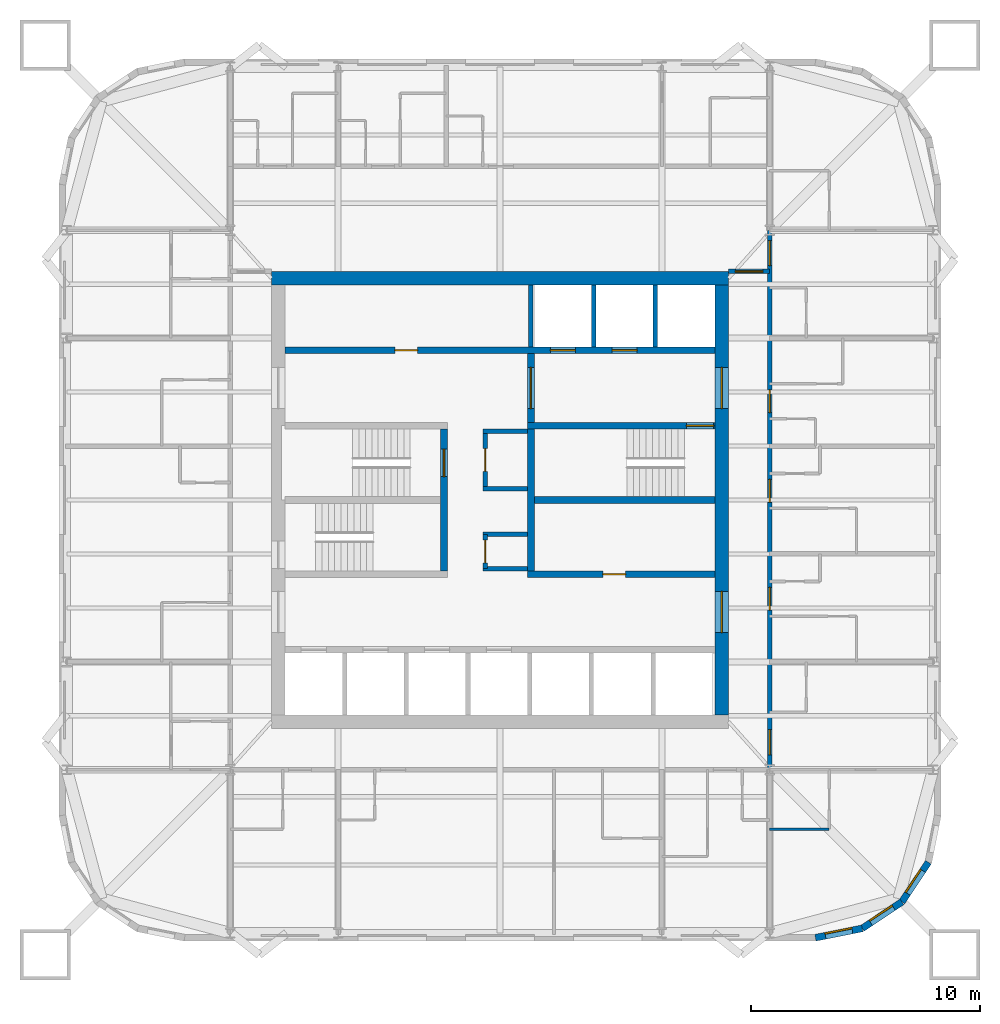
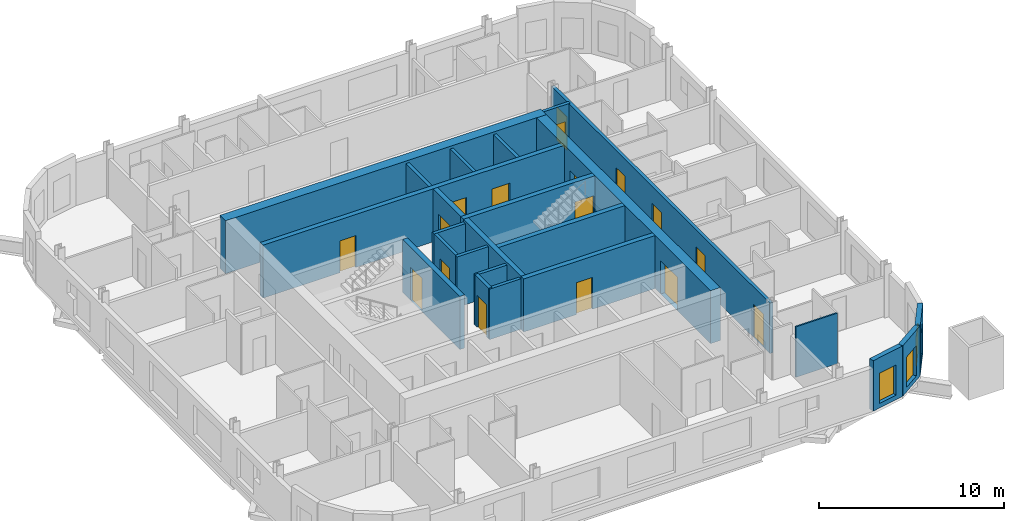
# One storey, part 5 of 9: 23 walls, 17 doors, 3 windows, 20 openings.
"""IFC4 building model written with IfcOpenShell, lengths in metres."""

import ifcopenshell
import ifcopenshell.guid

model = None  # the IFC model being written
_history = None  # IfcOwnerHistory: only IFC2X3 demands one
_inside = {}  # id of a spatial element -> (the spatial element, [elements in it])
_under = {}  # id of a project, library or spatial element -> (it, [spatial elements below it])
_declared = {}  # id of a project -> (the project, [libraries it declares])
_typed = {}  # id of a type object -> (the type object, [elements of that type])
_made_of = {}  # id of a material, layer set ... -> (it, [elements and type objects made of it])


def new_model(schema):
    """Start an empty IFC model of exactly this schema.

    Asked for "IFC4X3", IfcOpenShell would pick the latest addendum, in which some entities
    have other attributes; the version numbers below select the first issue.
    IFC2X3 requires an IfcOwnerHistory on every rooted entity: one is made here for all.
    """
    global model, _history
    if schema == "IFC4X3":
        model = ifcopenshell.file(schema_version=(4, 3, 0, 0))
    else:
        model = ifcopenshell.file(schema=schema)
    _inside.clear()
    _under.clear()
    _declared.clear()
    _typed.clear()
    _made_of.clear()
    _history = None
    if model.schema == "IFC2X3":
        org = make("IfcOrganization", Name="unknown")
        user = make(
            "IfcPersonAndOrganization",
            ThePerson=make("IfcPerson", FamilyName="unknown"),
            TheOrganization=org,
        )
        app = make(
            "IfcApplication",
            ApplicationDeveloper=org,
            Version="unknown",
            ApplicationFullName="unknown",
            ApplicationIdentifier="unknown",
        )
        _history = make(
            "IfcOwnerHistory",
            OwningUser=user,
            OwningApplication=app,
            ChangeAction="ADDED",
            CreationDate=0,
        )
    return model


def make(cls, **values):
    """One entity of the class cls with the attributes given. An attribute that is None is left unset."""
    return model.create_entity(
        cls, **{name: value for name, value in values.items() if value is not None}
    )


def rooted(cls, **values):
    """An entity with a GlobalId (a new one), such as an element, a storey or a relation."""
    return make(cls, GlobalId=ifcopenshell.guid.new(), OwnerHistory=_history, **values)


def si_unit(unit_type, name, prefix=None):
    """IfcSIUnit, for example si_unit("LENGTHUNIT", "METRE", prefix="MILLI")."""
    return make("IfcSIUnit", UnitType=unit_type, Prefix=prefix, Name=name)


def assignment(units):
    """IfcUnitAssignment: the units of a project."""
    return None if units is None else make("IfcUnitAssignment", Units=units)


def point(xyz):
    """IfcCartesianPoint."""
    return None if xyz is None else make("IfcCartesianPoint", Coordinates=xyz)


def direction(xyz):
    """IfcDirection."""
    return None if xyz is None else make("IfcDirection", DirectionRatios=xyz)


def frame(location, z_axis=None, x_axis=None):
    """IfcAxis2Placement3D, a coordinate frame: its origin and axes. An axis left out is left unset."""
    return make(
        "IfcAxis2Placement3D",
        Location=point(location),
        Axis=direction(z_axis),
        RefDirection=direction(x_axis),
    )


def frame_2d(location, x_axis=None):
    """IfcAxis2Placement2D, a coordinate frame in the plane: its origin and x axis."""
    return make(
        "IfcAxis2Placement2D", Location=point(location), RefDirection=direction(x_axis)
    )


def origin():
    """The frame at (0, 0, 0) with its axes left unset."""
    return frame((0.0, 0.0, 0.0))


def place(relative_to, where):
    """IfcLocalPlacement: puts the frame where relative to a parent placement (None: the world)."""
    return make(
        "IfcLocalPlacement", PlacementRelTo=relative_to, RelativePlacement=where
    )


def context(
    kind, dimensions, precision=None, world=None, true_north=None, identifier=None
):
    """IfcGeometricRepresentationContext, for example the 3D "Model" context."""
    return make(
        "IfcGeometricRepresentationContext",
        ContextIdentifier=identifier,
        ContextType=kind,
        CoordinateSpaceDimension=dimensions,
        Precision=precision,
        WorldCoordinateSystem=world,
        TrueNorth=true_north,
    )


def subcontext(parent, identifier, kind, view, scale=None):
    """IfcGeometricRepresentationSubContext, for example "Body" below "Model"."""
    return make(
        "IfcGeometricRepresentationSubContext",
        ContextIdentifier=identifier,
        ContextType=kind,
        ParentContext=parent,
        TargetScale=scale,
        TargetView=view,
    )


def project(units=None, contexts=None):
    """IfcProject with its units and contexts."""
    return rooted(
        "IfcProject",
        Name="project",
        RepresentationContexts=contexts,
        UnitsInContext=assignment(units),
    )


def spatial(cls, under=None, at=None, **own):
    """A site, building, storey or space (cls), placed at a placement, below another one or the project."""
    s = rooted(cls, ObjectPlacement=at, **own)
    if under is not None:
        _under.setdefault(under.id(), (under, []))[1].append(s)
    return s


def profile(cls, at=None, kind="AREA", **sizes):
    """A parametric profile (cls). Its sizes go by their IFC names, for example OverallWidth=200.0."""
    return make(cls, ProfileType=kind, Position=at, **sizes)


def rectangle(**sizes):
    """IfcRectangleProfileDef."""
    return profile("IfcRectangleProfileDef", **sizes)


def extrude(swept, where, along, depth):
    """IfcExtrudedAreaSolid: the profile swept, set in the frame where, extruded along a direction by depth."""
    return make(
        "IfcExtrudedAreaSolid",
        SweptArea=swept,
        Position=where,
        ExtrudedDirection=direction(along),
        Depth=depth,
    )


def shape(context_of_items, identifier, shape_type, items):
    """IfcShapeRepresentation: the items that make up one representation, for example the "Body"."""
    return make(
        "IfcShapeRepresentation",
        ContextOfItems=context_of_items,
        RepresentationIdentifier=identifier,
        RepresentationType=shape_type,
        Items=items,
    )


def material(Name=None, Category=None):
    """IfcMaterial."""
    return make("IfcMaterial", Name=Name, Category=Category)


def layer(
    of_material, thickness, ventilated=None, Name=None, Category=None, Priority=None
):
    """IfcMaterialLayer: one layer of a wall or slab, of a material (None: an air gap)."""
    return make(
        "IfcMaterialLayer",
        Material=of_material,
        LayerThickness=thickness,
        IsVentilated=ventilated,
        Name=Name,
        Category=Category,
        Priority=Priority,
    )


def layer_set(layers, Name=None):
    """IfcMaterialLayerSet."""
    return make("IfcMaterialLayerSet", MaterialLayers=layers, LayerSetName=Name)


def made_of(thing, what):
    """Note that an element or type object is made of a material, layer set ...; save() writes the relation."""
    if what is not None:
        _made_of.setdefault(what.id(), (what, []))[1].append(thing)
    return thing


def type_object(cls, material=None, **own):
    """A type object (cls), such as IfcWallType, which elements share."""
    return made_of(rooted(cls, **own), material)


def element(
    cls,
    number,
    at=None,
    inside=None,
    cuts=None,
    type_object=None,
    material=None,
    context=None,
    identifier="Body",
    shape_type=None,
    held_by="IfcProductDefinitionShape",
    body=None,
    shapes=None,
    **own,
):
    """One element of the class cls, such as IfcWall. Its Tag is "e" and its number.

    at: its placement. inside: the storey or other place that contains it. cuts: it is an
    opening in that element (IfcRelVoidsElement). A single representation is given by context,
    identifier, shape_type and body (its items); several are given by shapes. held_by: the class
    of the entity that holds the representations. save() writes the other relations.
    """
    e = rooted(cls, Tag="e%d" % number, ObjectPlacement=at, **own)
    if body is not None:
        shapes = [shape(context, identifier, shape_type, body)]
    if shapes is not None:
        e.Representation = make(held_by, Representations=shapes)
    if inside is not None:
        _inside.setdefault(inside.id(), (inside, []))[1].append(e)
    if cuts is not None:
        rooted(
            "IfcRelVoidsElement", RelatingBuildingElement=cuts, RelatedOpeningElement=e
        )
    if type_object is not None:
        _typed.setdefault(type_object.id(), (type_object, []))[1].append(e)
    return made_of(e, material)


def fill(opening, filler):
    """IfcRelFillsElement: the door or window that sits in an opening."""
    return rooted(
        "IfcRelFillsElement",
        RelatingOpeningElement=opening,
        RelatedBuildingElement=filler,
    )


def aggregate(whole, parts):
    """IfcRelAggregates: a whole, such as a stair, and the parts it consists of."""
    return rooted("IfcRelAggregates", RelatingObject=whole, RelatedObjects=parts)


def save(model, path):
    """Write the relations noted so far, then the file.

    IfcRelAggregates (storeys below a building ...), IfcRelContainedInSpatialStructure (elements
    in a storey), IfcRelDefinesByType, IfcRelAssociatesMaterial and IfcRelDeclares: one each for
    every whole, place, type object, material and project.
    """
    for whole, parts in _under.values():
        aggregate(whole, parts)
    for where, things in _inside.values():
        rooted(
            "IfcRelContainedInSpatialStructure",
            RelatedElements=things,
            RelatingStructure=where,
        )
    for kind, things in _typed.values():
        rooted("IfcRelDefinesByType", RelatedObjects=things, RelatingType=kind)
    for what, things in _made_of.values():
        rooted("IfcRelAssociatesMaterial", RelatedObjects=things, RelatingMaterial=what)
    for by, libraries in _declared.values():
        rooted("IfcRelDeclares", RelatingContext=by, RelatedDefinitions=libraries)
    model.write(path)


model = new_model("IFC4")

# Units and contexts
model_context = context("Model", 3, precision=1e-05, world=origin(), true_north=direction((0.0, 1.0)))
body_context = subcontext(model_context, "Body", "Model", "MODEL_VIEW")
ifc_project = project(units=[si_unit("LENGTHUNIT", "METRE"), si_unit("AREAUNIT", "SQUARE_METRE"), si_unit("VOLUMEUNIT", "CUBIC_METRE"), si_unit("PLANEANGLEUNIT", "RADIAN"), si_unit("MASSUNIT", "GRAM", prefix="KILO")], contexts=[model_context])

# Site, building, storey
site_placement = place(None, origin())
site = spatial("IfcSite", under=ifc_project, at=site_placement, CompositionType="ELEMENT")
building_placement = place(site_placement, origin())
building = spatial("IfcBuilding", under=site, at=building_placement, Name="Turquesa Mirador Hotel Tower", CompositionType="ELEMENT")
storey_placement = place(building_placement, frame((0.0, 0.0, 207.300048828125)))
storey = spatial("IfcBuildingStorey", under=building, at=storey_placement, Name="L56", CompositionType="ELEMENT", Elevation=207.300048828125)

# Wall
ifc_material_1 = material(Name="Gypsum board on steel studs", Category="steel")
ifc_layer_1 = layer(ifc_material_1, 0.10009765625)
ifc_layer_set_1 = layer_set([ifc_layer_1], Name="BATHROOM WALL 100")
wall_type_1 = type_object("IfcWallType", Name="BATHROOM WALL 100", PredefinedType="PARTITIONING", material=ifc_layer_set_1)
wall_1_placement = place(storey_placement, frame((66.800048828125, 30.60009765625, 0.0), z_axis=(0.0, 0.0, 1.0), x_axis=(1.0, 0.0, 0.0)))
element("IfcWall", 1, at=wall_1_placement, inside=storey, type_object=wall_type_1, Name="Partition L56 009", PredefinedType="PARTITIONING", context=body_context, shape_type="SweptSolid", body=[
    extrude(rectangle(XDim=2.599853515625, YDim=0.10009765625, at=frame_2d((1.2998046875, 0.0))), origin(), (0.0, 0.0, 1.0), 3.329833984375),
])

# Wall, openings, doors
ifc_material_2 = material(Name="Concrete C50/60", Category="concrete")
ifc_layer_2 = layer(ifc_material_2, 0.300048828125)
ifc_layer_set_2 = layer_set([ifc_layer_2], Name="CORE INNER WALL 300")
wall_type_2 = type_object("IfcWallType", Name="CORE INNER WALL 300", PredefinedType="SHEAR", material=ifc_layer_set_2)
wall_2_placement = place(storey_placement, frame((45.60009765625, 51.550048828125, 0.0), z_axis=(0.0, 0.0, 1.0), x_axis=(1.0, 0.0, 0.0)))
wall_2 = element("IfcWall", 2, at=wall_2_placement, inside=storey, type_object=wall_type_2, Name="Core wall NL", PredefinedType="SHEAR", context=body_context, shape_type="SweptSolid", body=[
    extrude(rectangle(XDim=18.7998046875, YDim=0.300048828125, at=frame_2d((9.39990234375, 0.0))), origin(), (0.0, 0.0, 1.0), 3.5),
])
opening_1_placement = place(wall_2_placement, frame((4.800048828125, 0.0, 0.0)))
opening_1 = element("IfcOpeningElement", 3, at=opening_1_placement, cuts=wall_2, Name="Opening D05", PredefinedType="OPENING", context=body_context, shape_type="SweptSolid", body=[
    extrude(rectangle(XDim=1.0, YDim=2.10009765625, at=frame_2d((0.5, 1.050048828125))), frame((0.0, 0.159912109375, 0.0), z_axis=(0.0, -1.0, 0.0), x_axis=(1.0, 0.0, 0.0)), (0.0, 0.0, 1.0), 0.320068359375),
])
opening_2_placement = place(wall_2_placement, frame((11.60009765625, 0.0, 0.0)))
opening_2 = element("IfcOpeningElement", 4, at=opening_2_placement, cuts=wall_2, Name="Opening LD", PredefinedType="OPENING", context=body_context, shape_type="SweptSolid", body=[
    extrude(rectangle(XDim=1.10009765625, YDim=2.199951171875, at=frame_2d((0.550048828125, 1.10009765625))), frame((0.0, 0.159912109375, 0.0), z_axis=(0.0, -1.0, 0.0), x_axis=(1.0, 0.0, 0.0)), (0.0, 0.0, 1.0), 0.320068359375),
])
opening_3_placement = place(wall_2_placement, frame((14.300048828125, 0.0, 0.0)))
opening_3 = element("IfcOpeningElement", 5, at=opening_3_placement, cuts=wall_2, Name="Opening LD", PredefinedType="OPENING", context=body_context, shape_type="SweptSolid", body=[
    extrude(rectangle(XDim=1.10009765625, YDim=2.199951171875, at=frame_2d((0.550048828125, 1.10009765625))), frame((0.0, 0.159912109375, 0.0), z_axis=(0.0, -1.0, 0.0), x_axis=(1.0, 0.0, 0.0)), (0.0, 0.0, 1.0), 0.320068359375),
])
ifc_material_3 = material(Name="Steel fire door", Category="steel")
door_type_1 = type_object("IfcDoorType", Name="DOOR 1000X2100 SERVICE", OperationType="SINGLE_SWING_LEFT", PredefinedType="DOOR", material=ifc_material_3)
door_1_placement = place(opening_1_placement, origin())
door_1 = element("IfcDoor", 6, at=door_1_placement, inside=storey, type_object=door_type_1, Name="Linen store door", OperationType="SINGLE_SWING_LEFT", OverallHeight=2.10009765625, OverallWidth=1.0, PredefinedType="DOOR", context=body_context, shape_type="SweptSolid", body=[
    extrude(rectangle(XDim=1.0, YDim=2.10009765625, at=frame_2d((0.5, 1.050048828125))), frame((0.0, 0.02490234375, 0.0), z_axis=(0.0, -1.0, 0.0), x_axis=(1.0, 0.0, 0.0)), (0.0, 0.0, 1.0), 0.050048828125),
])
fill(opening_1, door_1)
ifc_material_4 = material(Name="Stainless steel lift landing door", Category="steel")
door_type_2 = type_object("IfcDoorType", Name="LIFT LANDING DOOR 1100X2200", OperationType="SLIDING_TO_LEFT", PredefinedType="DOOR", material=ifc_material_4)
door_2_placement = place(opening_2_placement, origin())
door_2 = element("IfcDoor", 7, at=door_2_placement, inside=storey, type_object=door_type_2, Name="Lift S1 landing door", OperationType="SLIDING_TO_LEFT", OverallHeight=2.199951171875, OverallWidth=1.10009765625, PredefinedType="DOOR", context=body_context, shape_type="SweptSolid", body=[
    extrude(rectangle(XDim=1.10009765625, YDim=2.199951171875, at=frame_2d((0.550048828125, 1.10009765625))), frame((0.0, 0.02490234375, 0.0), z_axis=(0.0, -1.0, 0.0), x_axis=(1.0, 0.0, 0.0)), (0.0, 0.0, 1.0), 0.050048828125),
])
fill(opening_2, door_2)
door_3_placement = place(opening_3_placement, origin())
door_3 = element("IfcDoor", 8, at=door_3_placement, inside=storey, type_object=door_type_2, Name="Lift S2 landing door", OperationType="SLIDING_TO_LEFT", OverallHeight=2.199951171875, OverallWidth=1.10009765625, PredefinedType="DOOR", context=body_context, shape_type="SweptSolid", body=[
    extrude(rectangle(XDim=1.10009765625, YDim=2.199951171875, at=frame_2d((0.550048828125, 1.10009765625))), frame((0.0, 0.02490234375, 0.0), z_axis=(0.0, -1.0, 0.0), x_axis=(1.0, 0.0, 0.0)), (0.0, 0.0, 1.0), 0.050048828125),
])
fill(opening_3, door_3)

# Wall, opening, door
wall_3_placement = place(storey_placement, frame((56.199951171875, 48.25, 0.0), z_axis=(0.0, 0.0, 1.0), x_axis=(1.0, 0.0, 0.0)))
wall_3 = element("IfcWall", 9, at=wall_3_placement, inside=storey, type_object=wall_type_2, Name="Core wall MN-E", PredefinedType="SHEAR", context=body_context, shape_type="SweptSolid", body=[
    extrude(rectangle(XDim=8.199951171875, YDim=0.300048828125, at=frame_2d((4.10009765625, 0.0))), origin(), (0.0, 0.0, 1.0), 3.5),
])
opening_4_placement = place(wall_3_placement, frame((6.949951171875, 0.0, 0.0)))
opening_4 = element("IfcOpeningElement", 10, at=opening_4_placement, cuts=wall_3, Name="Opening D03", PredefinedType="OPENING", context=body_context, shape_type="SweptSolid", body=[
    extrude(rectangle(XDim=1.199951171875, YDim=2.199951171875, at=frame_2d((0.60009765625, 1.10009765625))), frame((0.0, 0.159912109375, 0.0), z_axis=(0.0, -1.0, 0.0), x_axis=(1.0, 0.0, 0.0)), (0.0, 0.0, 1.0), 0.320068359375),
])
ifc_material_5 = material(Name="Steel fire door", Category="steel")
door_type_3 = type_object("IfcDoorType", Name="DOOR 1200X2200 STAIR", OperationType="SINGLE_SWING_LEFT", PredefinedType="DOOR", material=ifc_material_5)
door_4_placement = place(opening_4_placement, origin())
door_4 = element("IfcDoor", 11, at=door_4_placement, inside=storey, type_object=door_type_3, Name="Stair ST3 door", OperationType="SINGLE_SWING_LEFT", OverallHeight=2.199951171875, OverallWidth=1.199951171875, PredefinedType="DOOR", context=body_context, shape_type="SweptSolid", body=[
    extrude(rectangle(XDim=1.199951171875, YDim=2.199951171875, at=frame_2d((0.60009765625, 1.10009765625))), frame((0.0, 0.02490234375, 0.0), z_axis=(0.0, -1.0, 0.0), x_axis=(1.0, 0.0, 0.0)), (0.0, 0.0, 1.0), 0.050048828125),
])
fill(opening_4, door_4)

wall_4_placement = place(storey_placement, frame((56.199951171875, 41.75, 0.0), z_axis=(0.0, 0.0, 1.0), x_axis=(1.0, 0.0, 0.0)))
wall_4 = element("IfcWall", 12, at=wall_4_placement, inside=storey, type_object=wall_type_2, Name="Core wall MS-E", PredefinedType="SHEAR", context=body_context, shape_type="SweptSolid", body=[
    extrude(rectangle(XDim=8.199951171875, YDim=0.300048828125, at=frame_2d((4.10009765625, 0.0))), origin(), (0.0, 0.0, 1.0), 3.5),
])
opening_5_placement = place(wall_4_placement, frame((3.300048828125, 0.0, 0.0)))
opening_5 = element("IfcOpeningElement", 13, at=opening_5_placement, cuts=wall_4, Name="Opening D05", PredefinedType="OPENING", context=body_context, shape_type="SweptSolid", body=[
    extrude(rectangle(XDim=1.0, YDim=2.10009765625, at=frame_2d((0.5, 1.050048828125))), frame((0.0, 0.159912109375, 0.0), z_axis=(0.0, -1.0, 0.0), x_axis=(1.0, 0.0, 0.0)), (0.0, 0.0, 1.0), 0.320068359375),
])
door_5_placement = place(opening_5_placement, origin())
door_5 = element("IfcDoor", 14, at=door_5_placement, inside=storey, type_object=door_type_1, Name="Housekeeping room door", OperationType="SINGLE_SWING_LEFT", OverallHeight=2.10009765625, OverallWidth=1.0, PredefinedType="DOOR", context=body_context, shape_type="SweptSolid", body=[
    extrude(rectangle(XDim=1.0, YDim=2.10009765625, at=frame_2d((0.5, 1.050048828125))), frame((0.0, 0.02490234375, 0.0), z_axis=(0.0, -1.0, 0.0), x_axis=(1.0, 0.0, 0.0)), (0.0, 0.0, 1.0), 0.050048828125),
])
fill(opening_5, door_5)

wall_5_placement = place(storey_placement, frame((52.550048828125, 41.89990234375, 0.0), z_axis=(0.0, 0.0, 1.0), x_axis=(0.0, 1.0, 0.0)))
wall_5 = element("IfcWall", 15, at=wall_5_placement, inside=storey, type_object=wall_type_2, Name="Core wall PW", PredefinedType="SHEAR", context=body_context, shape_type="SweptSolid", body=[
    extrude(rectangle(XDim=6.2001953125, YDim=0.300048828125, at=frame_2d((3.10009765625, 0.0))), origin(), (0.0, 0.0, 1.0), 3.5),
])
opening_6_placement = place(wall_5_placement, frame((4.125, 0.0, 0.0)))
opening_6 = element("IfcOpeningElement", 16, at=opening_6_placement, cuts=wall_5, Name="Opening D03", PredefinedType="OPENING", context=body_context, shape_type="SweptSolid", body=[
    extrude(rectangle(XDim=1.199951171875, YDim=2.199951171875, at=frame_2d((0.60009765625, 1.10009765625))), frame((0.0, 0.159912109375, 0.0), z_axis=(0.0, -1.0, 0.0), x_axis=(1.0, 0.0, 0.0)), (0.0, 0.0, 1.0), 0.320068359375),
])
door_6_placement = place(opening_6_placement, origin())
door_6 = element("IfcDoor", 17, at=door_6_placement, inside=storey, type_object=door_type_3, Name="Stair ST1 door", OperationType="SINGLE_SWING_LEFT", OverallHeight=2.199951171875, OverallWidth=1.199951171875, PredefinedType="DOOR", context=body_context, shape_type="SweptSolid", body=[
    extrude(rectangle(XDim=1.199951171875, YDim=2.199951171875, at=frame_2d((0.60009765625, 1.10009765625))), frame((0.0, 0.02490234375, 0.0), z_axis=(0.0, -1.0, 0.0), x_axis=(1.0, 0.0, 0.0)), (0.0, 0.0, 1.0), 0.050048828125),
])
fill(opening_6, door_6)

wall_6_placement = place(storey_placement, frame((56.35009765625, 41.89990234375, 0.0), z_axis=(0.0, 0.0, 1.0), x_axis=(0.0, 1.0, 0.0)))
wall_6 = element("IfcWall", 18, at=wall_6_placement, inside=storey, type_object=wall_type_2, Name="Core wall PE", PredefinedType="SHEAR", context=body_context, shape_type="SweptSolid", body=[
    extrude(rectangle(XDim=9.5, YDim=0.300048828125, at=frame_2d((4.75, 0.0))), origin(), (0.0, 0.0, 1.0), 3.5),
])
opening_7_placement = place(wall_6_placement, frame((7.10009765625, 0.0, 0.0)))
opening_7 = element("IfcOpeningElement", 19, at=opening_7_placement, cuts=wall_6, Name="Opening D04", PredefinedType="OPENING", context=body_context, shape_type="SweptSolid", body=[
    extrude(rectangle(XDim=1.800048828125, YDim=2.199951171875, at=frame_2d((0.89990234375, 1.10009765625))), frame((0.0, 0.159912109375, 0.0), z_axis=(0.0, -1.0, 0.0), x_axis=(1.0, 0.0, 0.0)), (0.0, 0.0, 1.0), 0.320068359375),
])
ifc_material_6 = material(Name="Steel fire door pair", Category="steel")
door_type_4 = type_object("IfcDoorType", Name="DOOR 1800X2200 PAIR", OperationType="DOUBLE_DOOR_SINGLE_SWING", PredefinedType="DOOR", material=ifc_material_6)
door_7_placement = place(opening_7_placement, origin())
door_7 = element("IfcDoor", 20, at=door_7_placement, inside=storey, type_object=door_type_4, Name="Firefighting lobby inner door", OperationType="DOUBLE_DOOR_SINGLE_SWING", OverallHeight=2.199951171875, OverallWidth=1.800048828125, PredefinedType="DOOR", context=body_context, shape_type="SweptSolid", body=[
    extrude(rectangle(XDim=1.800048828125, YDim=2.199951171875, at=frame_2d((0.89990234375, 1.10009765625))), frame((0.0, 0.02490234375, 0.0), z_axis=(0.0, -1.0, 0.0), x_axis=(1.0, 0.0, 0.0)), (0.0, 0.0, 1.0), 0.050048828125),
])
fill(opening_7, door_7)

# Walls
wall_7_placement = place(storey_placement, frame((56.5, 45.0, 0.0), z_axis=(0.0, 0.0, 1.0), x_axis=(1.0, 0.0, 0.0)))
element("IfcWall", 21, at=wall_7_placement, inside=storey, type_object=wall_type_2, Name="Core wall M0-E", PredefinedType="SHEAR", context=body_context, shape_type="SweptSolid", body=[
    extrude(rectangle(XDim=7.89990234375, YDim=0.300048828125, at=frame_2d((3.949951171875, 0.0))), origin(), (0.0, 0.0, 1.0), 3.5),
])
ifc_material_7 = material(Name="Concrete C50/60", Category="concrete")
ifc_layer_3 = layer(ifc_material_7, 0.60009765625)
ifc_layer_set_3 = layer_set([ifc_layer_3], Name="CORE WALL 600")
wall_type_3 = type_object("IfcWallType", Name="CORE WALL 600", PredefinedType="SHEAR", material=ifc_layer_set_3)
wall_8_placement = place(storey_placement, frame((45.0, 54.699951171875, 0.0), z_axis=(0.0, 0.0, 1.0), x_axis=(1.0, 0.0, 0.0)))
element("IfcWall", 22, at=wall_8_placement, inside=storey, type_object=wall_type_3, Name="Core wall N", PredefinedType="SHEAR", context=body_context, shape_type="SweptSolid", body=[
    extrude(rectangle(XDim=20.0, YDim=0.60009765625, at=frame_2d((10.0, 0.0))), origin(), (0.0, 0.0, 1.0), 3.5),
])

# Wall, openings, doors
wall_9_placement = place(storey_placement, frame((64.699951171875, 35.60009765625, 0.0), z_axis=(0.0, 0.0, 1.0), x_axis=(0.0, 1.0, 0.0)))
wall_9 = element("IfcWall", 23, at=wall_9_placement, inside=storey, type_object=wall_type_3, Name="Core wall E", PredefinedType="SHEAR", context=body_context, shape_type="SweptSolid", body=[
    extrude(rectangle(XDim=18.7998046875, YDim=0.60009765625, at=frame_2d((9.39990234375, 0.0))), origin(), (0.0, 0.0, 1.0), 3.5),
])
opening_8_placement = place(wall_9_placement, frame((13.39990234375, 0.0, 0.0)))
opening_8 = element("IfcOpeningElement", 24, at=opening_8_placement, cuts=wall_9, Name="Opening D04", PredefinedType="OPENING", context=body_context, shape_type="SweptSolid", body=[
    extrude(rectangle(XDim=1.800048828125, YDim=2.199951171875, at=frame_2d((0.89990234375, 1.10009765625))), frame((0.0, 0.31005859375, 0.0), z_axis=(0.0, -1.0, 0.0), x_axis=(1.0, 0.0, 0.0)), (0.0, 0.0, 1.0), 0.6201171875),
])
opening_9_placement = place(wall_9_placement, frame((3.60009765625, 0.0, 0.0)))
opening_9 = element("IfcOpeningElement", 25, at=opening_9_placement, cuts=wall_9, Name="Opening D04", PredefinedType="OPENING", context=body_context, shape_type="SweptSolid", body=[
    extrude(rectangle(XDim=1.800048828125, YDim=2.199951171875, at=frame_2d((0.89990234375, 1.10009765625))), frame((0.0, 0.31005859375, 0.0), z_axis=(0.0, -1.0, 0.0), x_axis=(1.0, 0.0, 0.0)), (0.0, 0.0, 1.0), 0.6201171875),
])
door_8_placement = place(opening_8_placement, origin())
door_8 = element("IfcDoor", 26, at=door_8_placement, inside=storey, type_object=door_type_4, Name="Firefighting lobby door", OperationType="DOUBLE_DOOR_SINGLE_SWING", OverallHeight=2.199951171875, OverallWidth=1.800048828125, PredefinedType="DOOR", context=body_context, shape_type="SweptSolid", body=[
    extrude(rectangle(XDim=1.800048828125, YDim=2.199951171875, at=frame_2d((0.89990234375, 1.10009765625))), frame((0.0, 0.02490234375, 0.0), z_axis=(0.0, -1.0, 0.0), x_axis=(1.0, 0.0, 0.0)), (0.0, 0.0, 1.0), 0.050048828125),
])
fill(opening_8, door_8)
door_9_placement = place(opening_9_placement, origin())
door_9 = element("IfcDoor", 27, at=door_9_placement, inside=storey, type_object=door_type_4, Name="South lift lobby door", OperationType="DOUBLE_DOOR_SINGLE_SWING", OverallHeight=2.199951171875, OverallWidth=1.800048828125, PredefinedType="DOOR", context=body_context, shape_type="SweptSolid", body=[
    extrude(rectangle(XDim=1.800048828125, YDim=2.199951171875, at=frame_2d((0.89990234375, 1.10009765625))), frame((0.0, 0.02490234375, 0.0), z_axis=(0.0, -1.0, 0.0), x_axis=(1.0, 0.0, 0.0)), (0.0, 0.0, 1.0), 0.050048828125),
])
fill(opening_9, door_9)

# Wall, opening, door
ifc_material_8 = material(Name="Fire-rated gypsum board on steel studs", Category="steel")
ifc_layer_4 = layer(ifc_material_8, 0.199951171875)
ifc_layer_set_4 = layer_set([ifc_layer_4], Name="CORRIDOR WALL 200")
wall_type_4 = type_object("IfcWallType", Name="CORRIDOR WALL 200", PredefinedType="PARTITIONING", material=ifc_layer_set_4)
wall_10_placement = place(storey_placement, frame((65.0, 55.0, 0.0), z_axis=(0.0, 0.0, 1.0), x_axis=(1.0, 0.0, 0.0)))
wall_10 = element("IfcWall", 28, at=wall_10_placement, inside=storey, type_object=wall_type_4, Name="Partition L56 023", PredefinedType="PARTITIONING", context=body_context, shape_type="SweptSolid", body=[
    extrude(rectangle(XDim=1.800048828125, YDim=0.199951171875, at=frame_2d((0.89990234375, 0.0))), origin(), (0.0, 0.0, 1.0), 3.329833984375),
])
opening_10_placement = place(wall_10_placement, frame((0.300048828125, 0.0, 0.0)))
opening_10 = element("IfcOpeningElement", 29, at=opening_10_placement, cuts=wall_10, Name="Opening D19", PredefinedType="OPENING", context=body_context, shape_type="SweptSolid", body=[
    extrude(rectangle(XDim=1.199951171875, YDim=2.199951171875, at=frame_2d((0.60009765625, 1.10009765625))), frame((0.0, 0.10986328125, 0.0), z_axis=(0.0, -1.0, 0.0), x_axis=(1.0, 0.0, 0.0)), (0.0, 0.0, 1.0), 0.219970703125),
])
ifc_material_9 = material(Name="Steel glazed fire door", Category="steel")
door_type_5 = type_object("IfcDoorType", Name="DOOR 1200X2200 FIRE DOOR GLAZED", OperationType="SINGLE_SWING_LEFT", PredefinedType="DOOR", material=ifc_material_9)
door_10_placement = place(opening_10_placement, origin())
door_10 = element("IfcDoor", 30, at=door_10_placement, inside=storey, type_object=door_type_5, Name="Door L56-C03-1", OperationType="SINGLE_SWING_LEFT", OverallHeight=2.199951171875, OverallWidth=1.199951171875, PredefinedType="DOOR", context=body_context, shape_type="SweptSolid", body=[
    extrude(rectangle(XDim=1.199951171875, YDim=2.199951171875, at=frame_2d((0.60009765625, 1.10009765625))), frame((0.0, 0.02490234375, 0.0), z_axis=(0.0, -1.0, 0.0), x_axis=(1.0, 0.0, 0.0)), (0.0, 0.0, 1.0), 0.050048828125),
])
fill(opening_10, door_10)

# Wall, openings, doors
wall_11_placement = place(storey_placement, frame((66.800048828125, 33.199951171875, 0.0), z_axis=(0.0, 0.0, 1.0), x_axis=(0.0, 1.0, 0.0)))
wall_11 = element("IfcWall", 31, at=wall_11_placement, inside=storey, type_object=wall_type_4, Name="Partition L56 066", PredefinedType="PARTITIONING", context=body_context, shape_type="SweptSolid", body=[
    extrude(rectangle(XDim=23.580078125, YDim=0.199951171875, at=frame_2d((11.7900390625, 0.0))), origin(), (0.0, 0.0, 1.0), 3.329833984375),
])
opening_11_placement = place(wall_11_placement, frame((6.97998046875, 0.0, 0.0)))
opening_11 = element("IfcOpeningElement", 32, at=opening_11_placement, cuts=wall_11, Name="Opening D01", PredefinedType="OPENING", context=body_context, shape_type="SweptSolid", body=[
    extrude(rectangle(XDim=1.0, YDim=2.199951171875, at=frame_2d((0.5, 1.10009765625))), frame((0.0, 0.10986328125, 0.0), z_axis=(0.0, -1.0, 0.0), x_axis=(1.0, 0.0, 0.0)), (0.0, 0.0, 1.0), 0.219970703125),
])
opening_12_placement = place(wall_11_placement, frame((11.699951171875, 0.0, 0.0)))
opening_12 = element("IfcOpeningElement", 33, at=opening_12_placement, cuts=wall_11, Name="Opening D01", PredefinedType="OPENING", context=body_context, shape_type="SweptSolid", body=[
    extrude(rectangle(XDim=1.0, YDim=2.199951171875, at=frame_2d((0.5, 1.10009765625))), frame((0.0, 0.10986328125, 0.0), z_axis=(0.0, -1.0, 0.0), x_axis=(1.0, 0.0, 0.0)), (0.0, 0.0, 1.0), 0.219970703125),
])
opening_13_placement = place(wall_11_placement, frame((15.6201171875, 0.0, 0.0)))
opening_13 = element("IfcOpeningElement", 34, at=opening_13_placement, cuts=wall_11, Name="Opening D01", PredefinedType="OPENING", context=body_context, shape_type="SweptSolid", body=[
    extrude(rectangle(XDim=1.0, YDim=2.199951171875, at=frame_2d((0.5, 1.10009765625))), frame((0.0, 0.10986328125, 0.0), z_axis=(0.0, -1.0, 0.0), x_axis=(1.0, 0.0, 0.0)), (0.0, 0.0, 1.0), 0.219970703125),
])
opening_14_placement = place(wall_11_placement, frame((22.050048828125, 0.0, 0.0)))
opening_14 = element("IfcOpeningElement", 35, at=opening_14_placement, cuts=wall_11, Name="Opening D15", PredefinedType="OPENING", context=body_context, shape_type="SweptSolid", body=[
    extrude(rectangle(XDim=1.10009765625, YDim=2.199951171875, at=frame_2d((0.550048828125, 1.10009765625))), frame((0.0, 0.10986328125, 0.0), z_axis=(0.0, -1.0, 0.0), x_axis=(1.0, 0.0, 0.0)), (0.0, 0.0, 1.0), 0.219970703125),
])
opening_15_placement = place(wall_11_placement, frame((0.64990234375, 0.0, 0.0)))
opening_15 = element("IfcOpeningElement", 36, at=opening_15_placement, cuts=wall_11, Name="Opening D15", PredefinedType="OPENING", context=body_context, shape_type="SweptSolid", body=[
    extrude(rectangle(XDim=1.10009765625, YDim=2.199951171875, at=frame_2d((0.550048828125, 1.10009765625))), frame((0.0, 0.10986328125, 0.0), z_axis=(0.0, -1.0, 0.0), x_axis=(1.0, 0.0, 0.0)), (0.0, 0.0, 1.0), 0.219970703125),
])
ifc_material_10 = material(Name="Timber veneered fire door", Category="wood")
door_type_6 = type_object("IfcDoorType", Name="DOOR 1000X2200 GUEST ENTRY", OperationType="SINGLE_SWING_LEFT", PredefinedType="DOOR", material=ifc_material_10)
door_11_placement = place(opening_11_placement, origin())
door_11 = element("IfcDoor", 37, at=door_11_placement, inside=storey, type_object=door_type_6, Name="Door 5607", OperationType="SINGLE_SWING_LEFT", OverallHeight=2.199951171875, OverallWidth=1.0, PredefinedType="DOOR", context=body_context, shape_type="SweptSolid", body=[
    extrude(rectangle(XDim=1.0, YDim=2.199951171875, at=frame_2d((0.5, 1.10009765625))), frame((0.0, 0.02490234375, 0.0), z_axis=(0.0, -1.0, 0.0), x_axis=(1.0, 0.0, 0.0)), (0.0, 0.0, 1.0), 0.050048828125),
])
fill(opening_11, door_11)
door_12_placement = place(opening_12_placement, origin())
door_12 = element("IfcDoor", 38, at=door_12_placement, inside=storey, type_object=door_type_6, Name="Door 5608", OperationType="SINGLE_SWING_LEFT", OverallHeight=2.199951171875, OverallWidth=1.0, PredefinedType="DOOR", context=body_context, shape_type="SweptSolid", body=[
    extrude(rectangle(XDim=1.0, YDim=2.199951171875, at=frame_2d((0.5, 1.10009765625))), frame((0.0, 0.02490234375, 0.0), z_axis=(0.0, -1.0, 0.0), x_axis=(1.0, 0.0, 0.0)), (0.0, 0.0, 1.0), 0.050048828125),
])
fill(opening_12, door_12)
door_13_placement = place(opening_13_placement, origin())
door_13 = element("IfcDoor", 39, at=door_13_placement, inside=storey, type_object=door_type_6, Name="Door 5609", OperationType="SINGLE_SWING_LEFT", OverallHeight=2.199951171875, OverallWidth=1.0, PredefinedType="DOOR", context=body_context, shape_type="SweptSolid", body=[
    extrude(rectangle(XDim=1.0, YDim=2.199951171875, at=frame_2d((0.5, 1.10009765625))), frame((0.0, 0.02490234375, 0.0), z_axis=(0.0, -1.0, 0.0), x_axis=(1.0, 0.0, 0.0)), (0.0, 0.0, 1.0), 0.050048828125),
])
fill(opening_13, door_13)
ifc_material_11 = material(Name="Timber veneered fire door", Category="wood")
door_type_7 = type_object("IfcDoorType", Name="DOOR 1100X2200 SUITE ENTRY", OperationType="SINGLE_SWING_LEFT", PredefinedType="DOOR", material=ifc_material_11)
door_14_placement = place(opening_14_placement, origin())
door_14 = element("IfcDoor", 40, at=door_14_placement, inside=storey, type_object=door_type_7, Name="Door 5612", OperationType="SINGLE_SWING_LEFT", OverallHeight=2.199951171875, OverallWidth=1.10009765625, PredefinedType="DOOR", context=body_context, shape_type="SweptSolid", body=[
    extrude(rectangle(XDim=1.10009765625, YDim=2.199951171875, at=frame_2d((0.550048828125, 1.10009765625))), frame((0.0, 0.02490234375, 0.0), z_axis=(0.0, -1.0, 0.0), x_axis=(1.0, 0.0, 0.0)), (0.0, 0.0, 1.0), 0.050048828125),
])
fill(opening_14, door_14)
door_15_placement = place(opening_15_placement, origin())
door_15 = element("IfcDoor", 41, at=door_15_placement, inside=storey, type_object=door_type_7, Name="Door 5615", OperationType="SINGLE_SWING_LEFT", OverallHeight=2.199951171875, OverallWidth=1.10009765625, PredefinedType="DOOR", context=body_context, shape_type="SweptSolid", body=[
    extrude(rectangle(XDim=1.10009765625, YDim=2.199951171875, at=frame_2d((0.550048828125, 1.10009765625))), frame((0.0, 0.02490234375, 0.0), z_axis=(0.0, -1.0, 0.0), x_axis=(1.0, 0.0, 0.0)), (0.0, 0.0, 1.0), 0.050048828125),
])
fill(opening_15, door_15)

# Wall, opening, window
ifc_material_12 = material(Name="Limestone cladding on concrete block", Category="masonry")
ifc_layer_5 = layer(ifc_material_12, 0.300048828125)
ifc_layer_set_5 = layer_set([ifc_layer_5], Name="FACADE WALL 300 STONE SCREEN")
wall_type_5 = type_object("IfcWallType", Name="FACADE WALL 300 STONE SCREEN", PredefinedType="SOLIDWALL", material=ifc_layer_set_5)
wall_12_placement = place(storey_placement, frame((68.800048828125, 25.85009765625, 0.0), z_axis=(0.0, 0.0, 1.0), x_axis=(0.980787050784, 0.195081421501, 0.0)))
wall_12 = element("IfcWall", 42, at=wall_12_placement, inside=storey, type_object=wall_type_5, Name="Facade wall L56 00", PredefinedType="SOLIDWALL", context=body_context, shape_type="SweptSolid", body=[
    extrude(rectangle(XDim=2.08740234375, YDim=0.300048828125, at=frame_2d((1.043701171875, 0.0))), origin(), (0.0, 0.0, 1.0), 3.329833984375),
])
opening_16_placement = place(wall_12_placement, frame((0.443603515625, 0.0, 0.300048828125)))
opening_16 = element("IfcOpeningElement", 43, at=opening_16_placement, cuts=wall_12, Name="Opening WN4", PredefinedType="OPENING", context=body_context, shape_type="SweptSolid", body=[
    extrude(rectangle(XDim=1.199951171875, YDim=2.0, at=frame_2d((0.60009765625, 1.0))), frame((0.0, 0.159912109375, 0.0), z_axis=(0.0, -1.0, 0.0), x_axis=(1.0, 0.0, 0.0)), (0.0, 0.0, 1.0), 0.320068359375),
])
ifc_material_13 = material(Name="Ceramic-fritted laminated glass", Category="glass")
window_type = type_object("IfcWindowType", Name="FRITTED CORNER WINDOW 1200X2000", PartitioningType="DOUBLE_PANEL_HORIZONTAL", PredefinedType="WINDOW", material=ifc_material_13)
window_1_placement = place(opening_16_placement, origin())
window_1 = element("IfcWindow", 44, at=window_1_placement, inside=storey, type_object=window_type, Name="Window L56", OverallHeight=2.0, OverallWidth=1.199951171875, PartitioningType="SINGLE_PANEL", PredefinedType="WINDOW", context=body_context, shape_type="SweptSolid", body=[
    extrude(rectangle(XDim=1.199951171875, YDim=2.0, at=frame_2d((0.60009765625, 1.0))), frame((0.0, 0.130126953125, 0.0), z_axis=(0.0, -1.0, 0.0), x_axis=(1.0, 0.0, 0.0)), (0.0, 0.0, 1.0), 0.06005859375),
])
fill(opening_16, window_1)

wall_13_placement = place(storey_placement, frame((70.847412109375, 26.25732421875, 0.0), z_axis=(0.0, 0.0, 1.0), x_axis=(0.831474039234, 0.555563607591, 0.0)))
wall_13 = element("IfcWall", 45, at=wall_13_placement, inside=storey, type_object=wall_type_5, Name="Facade wall L56 01", PredefinedType="SOLIDWALL", context=body_context, shape_type="SweptSolid", body=[
    extrude(rectangle(XDim=2.08740234375, YDim=0.300048828125, at=frame_2d((1.043701171875, 0.0))), origin(), (0.0, 0.0, 1.0), 3.329833984375),
])
opening_17_placement = place(wall_13_placement, frame((0.443603515625, 0.0, 0.300048828125)))
opening_17 = element("IfcOpeningElement", 46, at=opening_17_placement, cuts=wall_13, Name="Opening WN4", PredefinedType="OPENING", context=body_context, shape_type="SweptSolid", body=[
    extrude(rectangle(XDim=1.199951171875, YDim=2.0, at=frame_2d((0.60009765625, 1.0))), frame((0.0, 0.159912109375, 0.0), z_axis=(0.0, -1.0, 0.0), x_axis=(1.0, 0.0, 0.0)), (0.0, 0.0, 1.0), 0.320068359375),
])
window_2_placement = place(opening_17_placement, origin())
window_2 = element("IfcWindow", 47, at=window_2_placement, inside=storey, type_object=window_type, Name="Window L56", OverallHeight=2.0, OverallWidth=1.199951171875, PartitioningType="SINGLE_PANEL", PredefinedType="WINDOW", context=body_context, shape_type="SweptSolid", body=[
    extrude(rectangle(XDim=1.199951171875, YDim=2.0, at=frame_2d((0.60009765625, 1.0))), frame((0.0, 0.130126953125, 0.0), z_axis=(0.0, -1.0, 0.0), x_axis=(1.0, 0.0, 0.0)), (0.0, 0.0, 1.0), 0.06005859375),
])
fill(opening_17, window_2)

wall_14_placement = place(storey_placement, frame((72.5830078125, 27.4169921875, 0.0), z_axis=(0.0, 0.0, 1.0), x_axis=(0.555563607591, 0.831474039234, 0.0)))
wall_14 = element("IfcWall", 48, at=wall_14_placement, inside=storey, type_object=wall_type_5, Name="Facade wall L56 02", PredefinedType="SOLIDWALL", context=body_context, shape_type="SweptSolid", body=[
    extrude(rectangle(XDim=2.08740234375, YDim=0.300048828125, at=frame_2d((1.043701171875, 0.0))), origin(), (0.0, 0.0, 1.0), 3.329833984375),
])
opening_18_placement = place(wall_14_placement, frame((0.443603515625, 0.0, 0.300048828125)))
opening_18 = element("IfcOpeningElement", 49, at=opening_18_placement, cuts=wall_14, Name="Opening WN4", PredefinedType="OPENING", context=body_context, shape_type="SweptSolid", body=[
    extrude(rectangle(XDim=1.199951171875, YDim=2.0, at=frame_2d((0.60009765625, 1.0))), frame((0.0, 0.159912109375, 0.0), z_axis=(0.0, -1.0, 0.0), x_axis=(1.0, 0.0, 0.0)), (0.0, 0.0, 1.0), 0.320068359375),
])
window_3_placement = place(opening_18_placement, origin())
window_3 = element("IfcWindow", 50, at=window_3_placement, inside=storey, type_object=window_type, Name="Window L56", OverallHeight=2.0, OverallWidth=1.199951171875, PartitioningType="SINGLE_PANEL", PredefinedType="WINDOW", context=body_context, shape_type="SweptSolid", body=[
    extrude(rectangle(XDim=1.199951171875, YDim=2.0, at=frame_2d((0.60009765625, 1.0))), frame((0.0, 0.130126953125, 0.0), z_axis=(0.0, -1.0, 0.0), x_axis=(1.0, 0.0, 0.0)), (0.0, 0.0, 1.0), 0.06005859375),
])
fill(opening_18, window_3)

# Wall, opening, door
ifc_material_14 = material(Name="Fire-rated gypsum board on steel studs", Category="steel")
ifc_layer_6 = layer(ifc_material_14, 0.199951171875)
ifc_layer_set_6 = layer_set([ifc_layer_6], Name="FIRE PARTITION 200")
wall_type_6 = type_object("IfcWallType", Name="FIRE PARTITION 200", PredefinedType="PARTITIONING", material=ifc_layer_set_6)
wall_15_placement = place(storey_placement, frame((54.35009765625, 42.0, 0.0), z_axis=(0.0, 0.0, 1.0), x_axis=(0.0, 1.0, 0.0)))
wall_15 = element("IfcWall", 51, at=wall_15_placement, inside=storey, type_object=wall_type_6, Name="Partition L56 SW W", PredefinedType="PARTITIONING", context=body_context, shape_type="SweptSolid", body=[
    extrude(rectangle(XDim=1.5, YDim=0.199951171875, at=frame_2d((0.75, 0.0))), origin(), (0.0, 0.0, 1.0), 3.329833984375),
])
opening_19_placement = place(wall_15_placement, frame((0.25, 0.0, 0.0)))
opening_19 = element("IfcOpeningElement", 52, at=opening_19_placement, cuts=wall_15, Name="Opening D05", PredefinedType="OPENING", context=body_context, shape_type="SweptSolid", body=[
    extrude(rectangle(XDim=1.0, YDim=2.10009765625, at=frame_2d((0.5, 1.050048828125))), frame((0.0, 0.10986328125, 0.0), z_axis=(0.0, -1.0, 0.0), x_axis=(1.0, 0.0, 0.0)), (0.0, 0.0, 1.0), 0.219970703125),
])
door_16_placement = place(opening_19_placement, origin())
door_16 = element("IfcDoor", 53, at=door_16_placement, inside=storey, type_object=door_type_1, Name="Staff WC door", OperationType="SINGLE_SWING_LEFT", OverallHeight=2.10009765625, OverallWidth=1.0, PredefinedType="DOOR", context=body_context, shape_type="SweptSolid", body=[
    extrude(rectangle(XDim=1.0, YDim=2.10009765625, at=frame_2d((0.5, 1.050048828125))), frame((0.0, 0.02490234375, 0.0), z_axis=(0.0, -1.0, 0.0), x_axis=(1.0, 0.0, 0.0)), (0.0, 0.0, 1.0), 0.050048828125),
])
fill(opening_19, door_16)

# Walls
for number, where, z_axis, x_axis, name in (
    (54, (54.25, 42.0, 0.0), (0.0, 0.0, 1.0), (1.0, 0.0, 0.0), "Partition L56 SW S"),
    (55, (54.25, 43.5, 0.0), (0.0, 0.0, 1.0), (1.0, 0.0, 0.0), "Partition L56 SW N"),
):
    element("IfcWall", number, at=place(storey_placement, frame(where, z_axis=z_axis, x_axis=x_axis)), inside=storey, type_object=wall_type_6, Name=name, PredefinedType="PARTITIONING", context=body_context, shape_type="SweptSolid", body=[
        extrude(rectangle(XDim=1.949951171875, YDim=0.199951171875, at=frame_2d((0.97509765625, 0.0))), origin(), (0.0, 0.0, 1.0), 3.329833984375),
    ])

# Wall, opening, door
wall_16_placement = place(storey_placement, frame((54.35009765625, 45.5, 0.0), z_axis=(0.0, 0.0, 1.0), x_axis=(0.0, 1.0, 0.0)))
wall_16 = element("IfcWall", 56, at=wall_16_placement, inside=storey, type_object=wall_type_6, Name="Partition L56 RS W", PredefinedType="PARTITIONING", context=body_context, shape_type="SweptSolid", body=[
    extrude(rectangle(XDim=2.5, YDim=0.199951171875, at=frame_2d((1.25, 0.0))), origin(), (0.0, 0.0, 1.0), 3.329833984375),
])
opening_20_placement = place(wall_16_placement, frame((0.75, 0.0, 0.0)))
opening_20 = element("IfcOpeningElement", 57, at=opening_20_placement, cuts=wall_16, Name="Opening D05", PredefinedType="OPENING", context=body_context, shape_type="SweptSolid", body=[
    extrude(rectangle(XDim=1.0, YDim=2.10009765625, at=frame_2d((0.5, 1.050048828125))), frame((0.0, 0.10986328125, 0.0), z_axis=(0.0, -1.0, 0.0), x_axis=(1.0, 0.0, 0.0)), (0.0, 0.0, 1.0), 0.219970703125),
])
door_17_placement = place(opening_20_placement, origin())
door_17 = element("IfcDoor", 58, at=door_17_placement, inside=storey, type_object=door_type_1, Name="Room service pantry door", OperationType="SINGLE_SWING_LEFT", OverallHeight=2.10009765625, OverallWidth=1.0, PredefinedType="DOOR", context=body_context, shape_type="SweptSolid", body=[
    extrude(rectangle(XDim=1.0, YDim=2.10009765625, at=frame_2d((0.5, 1.050048828125))), frame((0.0, 0.02490234375, 0.0), z_axis=(0.0, -1.0, 0.0), x_axis=(1.0, 0.0, 0.0)), (0.0, 0.0, 1.0), 0.050048828125),
])
fill(opening_20, door_17)

# Walls
for number, where, z_axis, x_axis, name in (
    (59, (54.25, 45.5, 0.0), (0.0, 0.0, 1.0), (1.0, 0.0, 0.0), "Partition L56 RS S"),
    (60, (54.25, 48.0, 0.0), (0.0, 0.0, 1.0), (1.0, 0.0, 0.0), "Partition L56 RS N"),
):
    element("IfcWall", number, at=place(storey_placement, frame(where, z_axis=z_axis, x_axis=x_axis)), inside=storey, type_object=wall_type_6, Name=name, PredefinedType="PARTITIONING", context=body_context, shape_type="SweptSolid", body=[
        extrude(rectangle(XDim=1.949951171875, YDim=0.199951171875, at=frame_2d((0.97509765625, 0.0))), origin(), (0.0, 0.0, 1.0), 3.329833984375),
    ])
ifc_material_15 = material(Name="Fire-rated gypsum shaft wall on steel studs", Category="steel")
ifc_layer_7 = layer(ifc_material_15, 0.199951171875)
ifc_layer_set_7 = layer_set([ifc_layer_7], Name="LIFT SHAFT DIVIDER 200")
wall_type_7 = type_object("IfcWallType", Name="LIFT SHAFT DIVIDER 200", PredefinedType="PARTITIONING", material=ifc_layer_set_7)
for number, where, z_axis, x_axis, name in (
    (61, (59.10009765625, 51.699951171875, 0.0), (0.0, 0.0, 1.0), (0.0, 1.0, 0.0), "Lift shaft divider"),
    (62, (61.800048828125, 51.699951171875, 0.0), (0.0, 0.0, 1.0), (0.0, 1.0, 0.0), "Lift shaft divider"),
    (63, (56.35009765625, 51.699951171875, 0.0), (0.0, 0.0, 1.0), (0.0, 1.0, 0.0), "Lift shaft divider"),
):
    element("IfcWall", number, at=place(storey_placement, frame(where, z_axis=z_axis, x_axis=x_axis)), inside=storey, type_object=wall_type_7, Name=name, PredefinedType="PARTITIONING", context=body_context, shape_type="SweptSolid", body=[
        extrude(rectangle(XDim=2.699951171875, YDim=0.199951171875, at=frame_2d((1.35009765625, 0.0))), origin(), (0.0, 0.0, 1.0), 3.329833984375),
    ])

save(model, "model.ifc")
